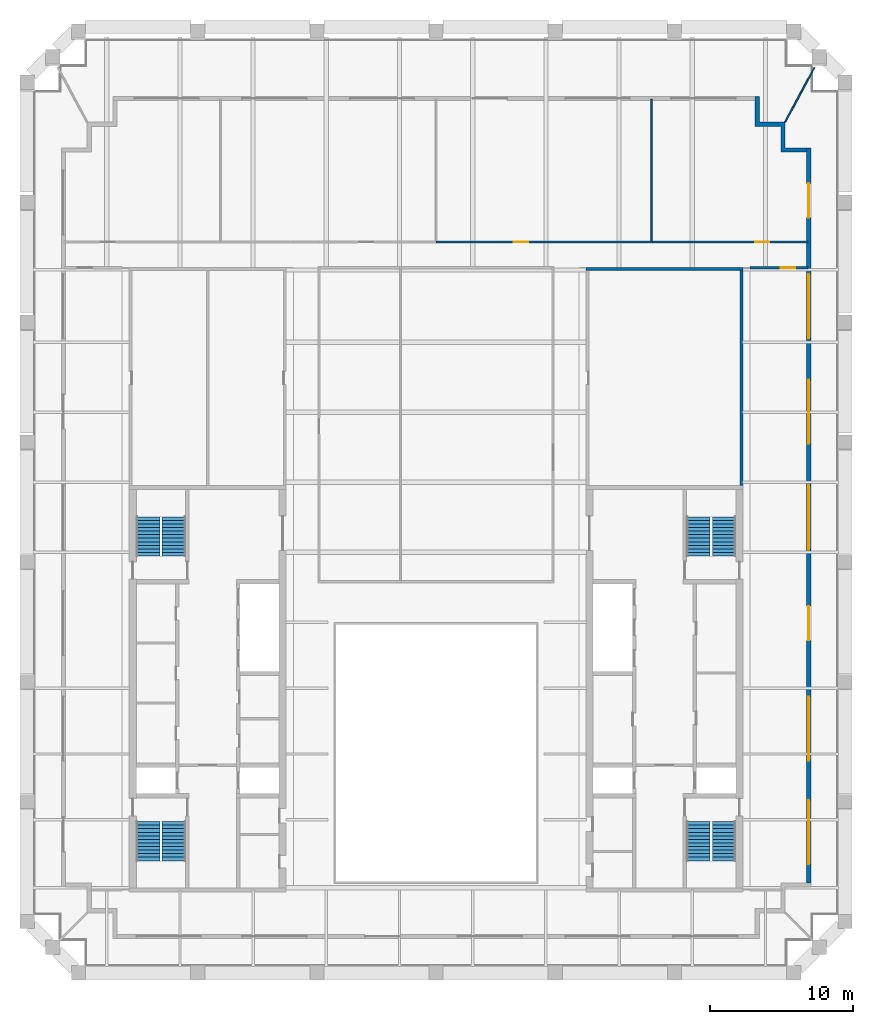
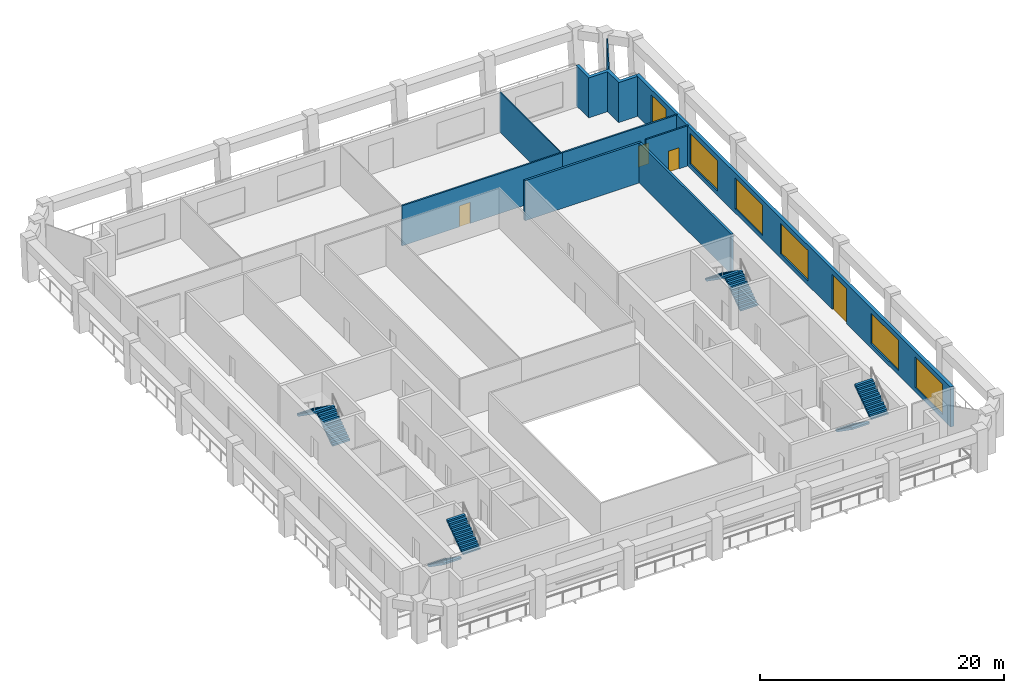
# One storey, part 6 of 8: 9 walls, 8 stair flights, 5 doors, 5 windows, 10 openings, 4 elements without a shape of their own.
"""IFC4 building model written with IfcOpenShell, lengths in metres."""

import ifcopenshell
import ifcopenshell.guid

model = None  # the IFC model being written
_history = None  # IfcOwnerHistory: only IFC2X3 demands one
_inside = {}  # id of a spatial element -> (the spatial element, [elements in it])
_under = {}  # id of a project, library or spatial element -> (it, [spatial elements below it])
_declared = {}  # id of a project -> (the project, [libraries it declares])
_typed = {}  # id of a type object -> (the type object, [elements of that type])
_made_of = {}  # id of a material, layer set ... -> (it, [elements and type objects made of it])


def new_model(schema):
    """Start an empty IFC model of exactly this schema.

    Asked for "IFC4X3", IfcOpenShell would pick the latest addendum, in which some entities
    have other attributes; the version numbers below select the first issue.
    IFC2X3 requires an IfcOwnerHistory on every rooted entity: one is made here for all.
    """
    global model, _history
    if schema == "IFC4X3":
        model = ifcopenshell.file(schema_version=(4, 3, 0, 0))
    else:
        model = ifcopenshell.file(schema=schema)
    _inside.clear()
    _under.clear()
    _declared.clear()
    _typed.clear()
    _made_of.clear()
    _history = None
    if model.schema == "IFC2X3":
        org = make("IfcOrganization", Name="unknown")
        user = make(
            "IfcPersonAndOrganization",
            ThePerson=make("IfcPerson", FamilyName="unknown"),
            TheOrganization=org,
        )
        app = make(
            "IfcApplication",
            ApplicationDeveloper=org,
            Version="unknown",
            ApplicationFullName="unknown",
            ApplicationIdentifier="unknown",
        )
        _history = make(
            "IfcOwnerHistory",
            OwningUser=user,
            OwningApplication=app,
            ChangeAction="ADDED",
            CreationDate=0,
        )
    return model


def make(cls, **values):
    """One entity of the class cls with the attributes given. An attribute that is None is left unset."""
    return model.create_entity(
        cls, **{name: value for name, value in values.items() if value is not None}
    )


def rooted(cls, **values):
    """An entity with a GlobalId (a new one), such as an element, a storey or a relation."""
    return make(cls, GlobalId=ifcopenshell.guid.new(), OwnerHistory=_history, **values)


def si_unit(unit_type, name, prefix=None):
    """IfcSIUnit, for example si_unit("LENGTHUNIT", "METRE", prefix="MILLI")."""
    return make("IfcSIUnit", UnitType=unit_type, Prefix=prefix, Name=name)


def assignment(units):
    """IfcUnitAssignment: the units of a project."""
    return None if units is None else make("IfcUnitAssignment", Units=units)


def point(xyz):
    """IfcCartesianPoint."""
    return None if xyz is None else make("IfcCartesianPoint", Coordinates=xyz)


def direction(xyz):
    """IfcDirection."""
    return None if xyz is None else make("IfcDirection", DirectionRatios=xyz)


def frame(location, z_axis=None, x_axis=None):
    """IfcAxis2Placement3D, a coordinate frame: its origin and axes. An axis left out is left unset."""
    return make(
        "IfcAxis2Placement3D",
        Location=point(location),
        Axis=direction(z_axis),
        RefDirection=direction(x_axis),
    )


def frame_2d(location, x_axis=None):
    """IfcAxis2Placement2D, a coordinate frame in the plane: its origin and x axis."""
    return make(
        "IfcAxis2Placement2D", Location=point(location), RefDirection=direction(x_axis)
    )


def origin():
    """The frame at (0, 0, 0) with its axes left unset."""
    return frame((0.0, 0.0, 0.0))


def place(relative_to, where):
    """IfcLocalPlacement: puts the frame where relative to a parent placement (None: the world)."""
    return make(
        "IfcLocalPlacement", PlacementRelTo=relative_to, RelativePlacement=where
    )


def context(
    kind, dimensions, precision=None, world=None, true_north=None, identifier=None
):
    """IfcGeometricRepresentationContext, for example the 3D "Model" context."""
    return make(
        "IfcGeometricRepresentationContext",
        ContextIdentifier=identifier,
        ContextType=kind,
        CoordinateSpaceDimension=dimensions,
        Precision=precision,
        WorldCoordinateSystem=world,
        TrueNorth=true_north,
    )


def subcontext(parent, identifier, kind, view, scale=None):
    """IfcGeometricRepresentationSubContext, for example "Body" below "Model"."""
    return make(
        "IfcGeometricRepresentationSubContext",
        ContextIdentifier=identifier,
        ContextType=kind,
        ParentContext=parent,
        TargetScale=scale,
        TargetView=view,
    )


def project(units=None, contexts=None):
    """IfcProject with its units and contexts."""
    return rooted(
        "IfcProject",
        Name="project",
        RepresentationContexts=contexts,
        UnitsInContext=assignment(units),
    )


def spatial(cls, under=None, at=None, **own):
    """A site, building, storey or space (cls), placed at a placement, below another one or the project."""
    s = rooted(cls, ObjectPlacement=at, **own)
    if under is not None:
        _under.setdefault(under.id(), (under, []))[1].append(s)
    return s


def polyline(points):
    """IfcPolyline through the points."""
    return make("IfcPolyline", Points=[point(p) for p in points])


def profile(cls, at=None, kind="AREA", **sizes):
    """A parametric profile (cls). Its sizes go by their IFC names, for example OverallWidth=200.0."""
    return make(cls, ProfileType=kind, Position=at, **sizes)


def rectangle(**sizes):
    """IfcRectangleProfileDef."""
    return profile("IfcRectangleProfileDef", **sizes)


def outline(outer, holes=None, kind="AREA"):
    """IfcArbitraryClosedProfileDef: a profile drawn as a closed curve; with holes, ...WithVoids."""
    if holes is None:
        return make("IfcArbitraryClosedProfileDef", ProfileType=kind, OuterCurve=outer)
    return make(
        "IfcArbitraryProfileDefWithVoids",
        ProfileType=kind,
        OuterCurve=outer,
        InnerCurves=holes,
    )


def extrude(swept, where, along, depth):
    """IfcExtrudedAreaSolid: the profile swept, set in the frame where, extruded along a direction by depth."""
    return make(
        "IfcExtrudedAreaSolid",
        SweptArea=swept,
        Position=where,
        ExtrudedDirection=direction(along),
        Depth=depth,
    )


def shape(context_of_items, identifier, shape_type, items):
    """IfcShapeRepresentation: the items that make up one representation, for example the "Body"."""
    return make(
        "IfcShapeRepresentation",
        ContextOfItems=context_of_items,
        RepresentationIdentifier=identifier,
        RepresentationType=shape_type,
        Items=items,
    )


def material(Name=None, Category=None):
    """IfcMaterial."""
    return make("IfcMaterial", Name=Name, Category=Category)


def layer(
    of_material, thickness, ventilated=None, Name=None, Category=None, Priority=None
):
    """IfcMaterialLayer: one layer of a wall or slab, of a material (None: an air gap)."""
    return make(
        "IfcMaterialLayer",
        Material=of_material,
        LayerThickness=thickness,
        IsVentilated=ventilated,
        Name=Name,
        Category=Category,
        Priority=Priority,
    )


def layer_set(layers, Name=None):
    """IfcMaterialLayerSet."""
    return make("IfcMaterialLayerSet", MaterialLayers=layers, LayerSetName=Name)


def made_of(thing, what):
    """Note that an element or type object is made of a material, layer set ...; save() writes the relation."""
    if what is not None:
        _made_of.setdefault(what.id(), (what, []))[1].append(thing)
    return thing


def type_object(cls, material=None, **own):
    """A type object (cls), such as IfcWallType, which elements share."""
    return made_of(rooted(cls, **own), material)


def element(
    cls,
    number,
    at=None,
    inside=None,
    cuts=None,
    type_object=None,
    material=None,
    context=None,
    identifier="Body",
    shape_type=None,
    held_by="IfcProductDefinitionShape",
    body=None,
    shapes=None,
    **own,
):
    """One element of the class cls, such as IfcWall. Its Tag is "e" and its number.

    at: its placement. inside: the storey or other place that contains it. cuts: it is an
    opening in that element (IfcRelVoidsElement). A single representation is given by context,
    identifier, shape_type and body (its items); several are given by shapes. held_by: the class
    of the entity that holds the representations. save() writes the other relations.
    """
    e = rooted(cls, Tag="e%d" % number, ObjectPlacement=at, **own)
    if body is not None:
        shapes = [shape(context, identifier, shape_type, body)]
    if shapes is not None:
        e.Representation = make(held_by, Representations=shapes)
    if inside is not None:
        _inside.setdefault(inside.id(), (inside, []))[1].append(e)
    if cuts is not None:
        rooted(
            "IfcRelVoidsElement", RelatingBuildingElement=cuts, RelatedOpeningElement=e
        )
    if type_object is not None:
        _typed.setdefault(type_object.id(), (type_object, []))[1].append(e)
    return made_of(e, material)


def fill(opening, filler):
    """IfcRelFillsElement: the door or window that sits in an opening."""
    return rooted(
        "IfcRelFillsElement",
        RelatingOpeningElement=opening,
        RelatedBuildingElement=filler,
    )


def aggregate(whole, parts):
    """IfcRelAggregates: a whole, such as a stair, and the parts it consists of."""
    return rooted("IfcRelAggregates", RelatingObject=whole, RelatedObjects=parts)


def save(model, path):
    """Write the relations noted so far, then the file.

    IfcRelAggregates (storeys below a building ...), IfcRelContainedInSpatialStructure (elements
    in a storey), IfcRelDefinesByType, IfcRelAssociatesMaterial and IfcRelDeclares: one each for
    every whole, place, type object, material and project.
    """
    for whole, parts in _under.values():
        aggregate(whole, parts)
    for where, things in _inside.values():
        rooted(
            "IfcRelContainedInSpatialStructure",
            RelatedElements=things,
            RelatingStructure=where,
        )
    for kind, things in _typed.values():
        rooted("IfcRelDefinesByType", RelatedObjects=things, RelatingType=kind)
    for what, things in _made_of.values():
        rooted("IfcRelAssociatesMaterial", RelatedObjects=things, RelatingMaterial=what)
    for by, libraries in _declared.values():
        rooted("IfcRelDeclares", RelatingContext=by, RelatedDefinitions=libraries)
    model.write(path)


model = new_model("IFC4")

# Units and contexts
model_context = context("Model", 3, precision=1e-05, world=origin(), true_north=direction((0.0, 1.0)))
body_context = subcontext(model_context, "Body", "Model", "MODEL_VIEW")
ifc_project = project(units=[si_unit("LENGTHUNIT", "METRE"), si_unit("AREAUNIT", "SQUARE_METRE"), si_unit("VOLUMEUNIT", "CUBIC_METRE"), si_unit("PLANEANGLEUNIT", "RADIAN"), si_unit("MASSUNIT", "GRAM", prefix="KILO")], contexts=[model_context])

# Site, building, storey
site_placement = place(None, origin())
site = spatial("IfcSite", under=ifc_project, at=site_placement, CompositionType="ELEMENT")
building_placement = place(site_placement, origin())
building = spatial("IfcBuilding", under=site, at=building_placement, Name="Ogive Exchange Tower", CompositionType="ELEMENT")
storey_placement = place(building_placement, frame((0.0, 0.0, 325.800048828125)))
storey = spatial("IfcBuildingStorey", under=building, at=storey_placement, Name="L71", CompositionType="ELEMENT", Elevation=325.800048828125)

# Wall, opening, door
ifc_material_1 = material(Name="Fire partition EI 60 150")
ifc_layer_1 = layer(ifc_material_1, 0.14990234375)
ifc_layer_set_1 = layer_set([ifc_layer_1], Name="Fire partition EI 60 150")
wall_type_1 = type_object("IfcWallType", Name="Fire partition EI 60 150", PredefinedType="PARTITIONING", material=ifc_layer_set_1)
wall_1_placement = place(storey_placement, frame((0.0, 42.800048828125, 0.0), z_axis=(0.0, 0.0, 1.0), x_axis=(1.0, 0.0, 0.0)))
wall_1 = element("IfcWall", 1, at=wall_1_placement, inside=storey, type_object=wall_type_1, Name="L71-PWL-014", PredefinedType="PARTITIONING", context=body_context, shape_type="SweptSolid", body=[
    extrude(rectangle(XDim=15.14990234375, YDim=0.14990234375, at=frame_2d((7.574951171875, 0.0))), origin(), (0.0, 0.0, 1.0), 4.0),
])
opening_1_placement = place(wall_1_placement, frame((5.449951171875, 0.0, 0.0)))
opening_1 = element("IfcOpeningElement", 2, at=opening_1_placement, cuts=wall_1, Name="Opening L71-I01", PredefinedType="OPENING", context=body_context, shape_type="SweptSolid", body=[
    extrude(rectangle(XDim=1.0, YDim=2.10009765625, at=frame_2d((0.5, 1.050048828125))), frame((0.0, 0.0849609375, 0.0), z_axis=(0.0, -1.0, 0.0), x_axis=(1.0, 0.0, 0.0)), (0.0, 0.0, 1.0), 0.169921875),
])
ifc_material_2 = material(Name="Fire door FD 30S 1000 x 2100")
door_type_1 = type_object("IfcDoorType", Name="Fire door FD 30S 1000 x 2100", OperationType="NOTDEFINED", PredefinedType="DOOR", material=ifc_material_2)
door_1_placement = place(opening_1_placement, origin())
door_1 = element("IfcDoor", 3, at=door_1_placement, inside=storey, type_object=door_type_1, Name="L71-IDR-001", ObjectType="DT3", OperationType="SINGLE_SWING_LEFT", OverallHeight=2.10009765625, OverallWidth=1.0, PredefinedType="DOOR", context=body_context, shape_type="SweptSolid", body=[
    extrude(rectangle(XDim=1.0, YDim=2.10009765625, at=frame_2d((0.5, 1.050048828125))), frame((0.0, 0.02490234375, 0.0), z_axis=(0.0, -1.0, 0.0), x_axis=(1.0, 0.0, 0.0)), (0.0, 0.0, 1.0), 0.050048828125),
])
fill(opening_1, door_1)

wall_2_placement = place(storey_placement, frame((15.14990234375, 42.800048828125, 0.0), z_axis=(0.0, 0.0, 1.0), x_axis=(1.0, 0.0, 0.0)))
wall_2 = element("IfcWall", 4, at=wall_2_placement, inside=storey, type_object=wall_type_1, Name="L71-PWL-017", PredefinedType="PARTITIONING", context=body_context, shape_type="SweptSolid", body=[
    extrude(rectangle(XDim=10.900146484375, YDim=0.14990234375, at=frame_2d((5.4501953125, 0.0))), origin(), (0.0, 0.0, 1.0), 4.0),
])
opening_2_placement = place(wall_2_placement, frame((7.199951171875, 0.0, 0.0)))
opening_2 = element("IfcOpeningElement", 5, at=opening_2_placement, cuts=wall_2, Name="Opening L71-I02", PredefinedType="OPENING", context=body_context, shape_type="SweptSolid", body=[
    extrude(rectangle(XDim=1.0, YDim=2.10009765625, at=frame_2d((0.5, 1.050048828125))), frame((0.0, 0.0849609375, 0.0), z_axis=(0.0, -1.0, 0.0), x_axis=(1.0, 0.0, 0.0)), (0.0, 0.0, 1.0), 0.169921875),
])
door_2_placement = place(opening_2_placement, origin())
door_2 = element("IfcDoor", 6, at=door_2_placement, inside=storey, type_object=door_type_1, Name="L71-IDR-002", ObjectType="DT3", OperationType="SINGLE_SWING_LEFT", OverallHeight=2.10009765625, OverallWidth=1.0, PredefinedType="DOOR", context=body_context, shape_type="SweptSolid", body=[
    extrude(rectangle(XDim=1.0, YDim=2.10009765625, at=frame_2d((0.5, 1.050048828125))), frame((0.0, 0.02490234375, 0.0), z_axis=(0.0, -1.0, 0.0), x_axis=(1.0, 0.0, 0.0)), (0.0, 0.0, 1.0), 0.050048828125),
])
fill(opening_2, door_2)

wall_3_placement = place(storey_placement, frame((26.050048828125, 41.0, 0.0), z_axis=(0.0, 0.0, 1.0), x_axis=(-1.0, 0.0, 0.0)))
wall_3 = element("IfcWall", 7, at=wall_3_placement, inside=storey, type_object=wall_type_1, Name="L71-PWL-020", PredefinedType="PARTITIONING", context=body_context, shape_type="SweptSolid", body=[
    extrude(rectangle(XDim=4.050048828125, YDim=0.14990234375, at=frame_2d((2.02490234375, 0.0))), origin(), (0.0, 0.0, 1.0), 4.0),
])
opening_3_placement = place(wall_3_placement, frame((0.89990234375, 0.0, 0.0)))
opening_3 = element("IfcOpeningElement", 8, at=opening_3_placement, cuts=wall_3, Name="Opening L71-I08", PredefinedType="OPENING", context=body_context, shape_type="SweptSolid", body=[
    extrude(rectangle(XDim=1.0, YDim=2.10009765625, at=frame_2d((0.5, 1.050048828125))), frame((0.0, 0.0849609375, 0.0), z_axis=(0.0, -1.0, 0.0), x_axis=(1.0, 0.0, 0.0)), (0.0, 0.0, 1.0), 0.169921875),
])
door_3_placement = place(opening_3_placement, origin())
door_3 = element("IfcDoor", 9, at=door_3_placement, inside=storey, type_object=door_type_1, Name="L71-IDR-008", ObjectType="DT3", OperationType="SINGLE_SWING_RIGHT", OverallHeight=2.10009765625, OverallWidth=1.0, PredefinedType="DOOR", context=body_context, shape_type="SweptSolid", body=[
    extrude(rectangle(XDim=1.0, YDim=2.10009765625, at=frame_2d((0.5, 1.050048828125))), frame((0.0, 0.02490234375, 0.0), z_axis=(0.0, -1.0, 0.0), x_axis=(1.0, 0.0, 0.0)), (0.0, 0.0, 1.0), 0.050048828125),
])
fill(opening_3, door_3)

# Wall, openings, doors, windows
ifc_material_3 = material(Name="Precast concrete C40/50", Category="concrete")
ifc_layer_2 = layer(ifc_material_3, 0.300048828125)
ifc_layer_set_2 = layer_set([ifc_layer_2], Name="Limestone-faced wall 300")
wall_type_2 = type_object("IfcWallType", Name="Limestone-faced wall 300", PredefinedType="STANDARD", material=ifc_layer_set_2)
wall_4_placement = place(storey_placement, frame((26.10009765625, -2.10009765625, 0.0), z_axis=(0.0, 0.0, 1.0), x_axis=(0.0, 1.0, 0.0)))
wall_4 = element("IfcWall", 10, at=wall_4_placement, inside=storey, type_object=wall_type_2, Name="External wall E2", PredefinedType="STANDARD", context=body_context, shape_type="SweptSolid", body=[
    extrude(rectangle(XDim=51.5, YDim=0.300048828125, at=frame_2d((25.75, 0.0))), origin(), (0.0, 0.0, 1.0), 4.0),
])
opening_4_placement = place(wall_4_placement, frame((1.300048828125, 0.0, 0.449951171875)))
opening_4 = element("IfcOpeningElement", 11, at=opening_4_placement, cuts=wall_4, Name="Opening W1", PredefinedType="OPENING", context=body_context, shape_type="SweptSolid", body=[
    extrude(rectangle(XDim=4.5, YDim=3.050048828125, at=frame_2d((2.25, 1.52490234375))), frame((0.0, 0.159912109375, 0.0), z_axis=(0.0, -1.0, 0.0), x_axis=(1.0, 0.0, 0.0)), (0.0, 0.0, 1.0), 0.320068359375),
])
opening_5_placement = place(wall_4_placement, frame((8.550048828125, 0.0, 0.449951171875)))
opening_5 = element("IfcOpeningElement", 12, at=opening_5_placement, cuts=wall_4, Name="Opening W1", PredefinedType="OPENING", context=body_context, shape_type="SweptSolid", body=[
    extrude(rectangle(XDim=4.5, YDim=3.050048828125, at=frame_2d((2.25, 1.52490234375))), frame((0.0, 0.159912109375, 0.0), z_axis=(0.0, -1.0, 0.0), x_axis=(1.0, 0.0, 0.0)), (0.0, 0.0, 1.0), 0.320068359375),
])
opening_6_placement = place(wall_4_placement, frame((17.0, 0.0, 0.0)))
opening_6 = element("IfcOpeningElement", 13, at=opening_6_placement, cuts=wall_4, Name="Opening D1", PredefinedType="OPENING", context=body_context, shape_type="SweptSolid", body=[
    extrude(rectangle(XDim=2.39990234375, YDim=3.5, at=frame_2d((1.199951171875, 1.75))), frame((0.0, 0.159912109375, 0.0), z_axis=(0.0, -1.0, 0.0), x_axis=(1.0, 0.0, 0.0)), (0.0, 0.0, 1.0), 0.320068359375),
])
opening_7_placement = place(wall_4_placement, frame((23.35009765625, 0.0, 0.449951171875)))
opening_7 = element("IfcOpeningElement", 14, at=opening_7_placement, cuts=wall_4, Name="Opening W1", PredefinedType="OPENING", context=body_context, shape_type="SweptSolid", body=[
    extrude(rectangle(XDim=4.5, YDim=3.050048828125, at=frame_2d((2.25, 1.52490234375))), frame((0.0, 0.159912109375, 0.0), z_axis=(0.0, -1.0, 0.0), x_axis=(1.0, 0.0, 0.0)), (0.0, 0.0, 1.0), 0.320068359375),
])
opening_8_placement = place(wall_4_placement, frame((30.75, 0.0, 0.449951171875)))
opening_8 = element("IfcOpeningElement", 15, at=opening_8_placement, cuts=wall_4, Name="Opening W1", PredefinedType="OPENING", context=body_context, shape_type="SweptSolid", body=[
    extrude(rectangle(XDim=4.5, YDim=3.050048828125, at=frame_2d((2.25, 1.52490234375))), frame((0.0, 0.159912109375, 0.0), z_axis=(0.0, -1.0, 0.0), x_axis=(1.0, 0.0, 0.0)), (0.0, 0.0, 1.0), 0.320068359375),
])
opening_9_placement = place(wall_4_placement, frame((38.14990234375, 0.0, 0.449951171875)))
opening_9 = element("IfcOpeningElement", 16, at=opening_9_placement, cuts=wall_4, Name="Opening W1", PredefinedType="OPENING", context=body_context, shape_type="SweptSolid", body=[
    extrude(rectangle(XDim=4.5, YDim=3.050048828125, at=frame_2d((2.25, 1.52490234375))), frame((0.0, 0.159912109375, 0.0), z_axis=(0.0, -1.0, 0.0), x_axis=(1.0, 0.0, 0.0)), (0.0, 0.0, 1.0), 0.320068359375),
])
opening_10_placement = place(wall_4_placement, frame((46.60009765625, 0.0, 0.0)))
opening_10 = element("IfcOpeningElement", 17, at=opening_10_placement, cuts=wall_4, Name="Opening D1", PredefinedType="OPENING", context=body_context, shape_type="SweptSolid", body=[
    extrude(rectangle(XDim=2.39990234375, YDim=3.5, at=frame_2d((1.199951171875, 1.75))), frame((0.0, 0.159912109375, 0.0), z_axis=(0.0, -1.0, 0.0), x_axis=(1.0, 0.0, 0.0)), (0.0, 0.0, 1.0), 0.320068359375),
])
ifc_material_4 = material(Name="Clear glass in bronze frame", Category="glass")
door_type_2 = type_object("IfcDoorType", Name="Sliding loggia door 2400 x 3500", OperationType="DOUBLE_DOOR_SLIDING", PredefinedType="DOOR", material=ifc_material_4)
door_4_placement = place(opening_6_placement, origin())
door_4 = element("IfcDoor", 18, at=door_4_placement, inside=storey, type_object=door_type_2, Name="Loggia door E02", OperationType="DOUBLE_DOOR_SLIDING", OverallHeight=3.5, OverallWidth=2.39990234375, PredefinedType="DOOR", context=body_context, shape_type="SweptSolid", body=[
    extrude(rectangle(XDim=2.39990234375, YDim=3.5, at=frame_2d((1.199951171875, 1.75))), frame((0.0, 0.02490234375, 0.0), z_axis=(0.0, -1.0, 0.0), x_axis=(1.0, 0.0, 0.0)), (0.0, 0.0, 1.0), 0.050048828125),
])
fill(opening_6, door_4)
door_5_placement = place(opening_10_placement, origin())
door_5 = element("IfcDoor", 19, at=door_5_placement, inside=storey, type_object=door_type_2, Name="Loggia door E06", OperationType="DOUBLE_DOOR_SLIDING", OverallHeight=3.5, OverallWidth=2.39990234375, PredefinedType="DOOR", context=body_context, shape_type="SweptSolid", body=[
    extrude(rectangle(XDim=2.39990234375, YDim=3.5, at=frame_2d((1.199951171875, 1.75))), frame((0.0, 0.02490234375, 0.0), z_axis=(0.0, -1.0, 0.0), x_axis=(1.0, 0.0, 0.0)), (0.0, 0.0, 1.0), 0.050048828125),
])
fill(opening_10, door_5)
window_type = type_object("IfcWindowType", Name="Twin lancet window 4500 x 3050", PartitioningType="DOUBLE_PANEL_VERTICAL", PredefinedType="WINDOW", material=ifc_material_4)
window_1_placement = place(opening_4_placement, origin())
window_1 = element("IfcWindow", 20, at=window_1_placement, inside=storey, type_object=window_type, Name="Window E00", OverallHeight=3.050048828125, OverallWidth=4.5, PartitioningType="DOUBLE_PANEL_VERTICAL", PredefinedType="WINDOW", context=body_context, shape_type="SweptSolid", body=[
    extrude(rectangle(XDim=4.5, YDim=3.050048828125, at=frame_2d((2.25, 1.52490234375))), frame((0.0, 0.030029296875, 0.0), z_axis=(0.0, -1.0, 0.0), x_axis=(1.0, 0.0, 0.0)), (0.0, 0.0, 1.0), 0.06005859375),
])
fill(opening_4, window_1)
window_2_placement = place(opening_5_placement, origin())
window_2 = element("IfcWindow", 21, at=window_2_placement, inside=storey, type_object=window_type, Name="Window E01", OverallHeight=3.050048828125, OverallWidth=4.5, PartitioningType="DOUBLE_PANEL_VERTICAL", PredefinedType="WINDOW", context=body_context, shape_type="SweptSolid", body=[
    extrude(rectangle(XDim=4.5, YDim=3.050048828125, at=frame_2d((2.25, 1.52490234375))), frame((0.0, 0.030029296875, 0.0), z_axis=(0.0, -1.0, 0.0), x_axis=(1.0, 0.0, 0.0)), (0.0, 0.0, 1.0), 0.06005859375),
])
fill(opening_5, window_2)
window_3_placement = place(opening_7_placement, origin())
window_3 = element("IfcWindow", 22, at=window_3_placement, inside=storey, type_object=window_type, Name="Window E03", OverallHeight=3.050048828125, OverallWidth=4.5, PartitioningType="DOUBLE_PANEL_VERTICAL", PredefinedType="WINDOW", context=body_context, shape_type="SweptSolid", body=[
    extrude(rectangle(XDim=4.5, YDim=3.050048828125, at=frame_2d((2.25, 1.52490234375))), frame((0.0, 0.030029296875, 0.0), z_axis=(0.0, -1.0, 0.0), x_axis=(1.0, 0.0, 0.0)), (0.0, 0.0, 1.0), 0.06005859375),
])
fill(opening_7, window_3)
window_4_placement = place(opening_8_placement, origin())
window_4 = element("IfcWindow", 23, at=window_4_placement, inside=storey, type_object=window_type, Name="Window E04", OverallHeight=3.050048828125, OverallWidth=4.5, PartitioningType="DOUBLE_PANEL_VERTICAL", PredefinedType="WINDOW", context=body_context, shape_type="SweptSolid", body=[
    extrude(rectangle(XDim=4.5, YDim=3.050048828125, at=frame_2d((2.25, 1.52490234375))), frame((0.0, 0.030029296875, 0.0), z_axis=(0.0, -1.0, 0.0), x_axis=(1.0, 0.0, 0.0)), (0.0, 0.0, 1.0), 0.06005859375),
])
fill(opening_8, window_4)
window_5_placement = place(opening_9_placement, origin())
window_5 = element("IfcWindow", 24, at=window_5_placement, inside=storey, type_object=window_type, Name="Window E05", OverallHeight=3.050048828125, OverallWidth=4.5, PartitioningType="DOUBLE_PANEL_VERTICAL", PredefinedType="WINDOW", context=body_context, shape_type="SweptSolid", body=[
    extrude(rectangle(XDim=4.5, YDim=3.050048828125, at=frame_2d((2.25, 1.52490234375))), frame((0.0, 0.030029296875, 0.0), z_axis=(0.0, -1.0, 0.0), x_axis=(1.0, 0.0, 0.0)), (0.0, 0.0, 1.0), 0.06005859375),
])
fill(opening_9, window_5)

# Walls
wall_5_placement = place(storey_placement, origin())
element("IfcWall", 25, at=wall_5_placement, inside=storey, type_object=wall_type_2, Name="External corner wall C2", PredefinedType="STANDARD", context=body_context, shape_type="SweptSolid", body=[
    extrude(outline(polyline([(24.14990234375, 50.89990234375), (22.35009765625, 50.89990234375), (22.35009765625, 53.0), (22.64990234375, 53.0), (22.64990234375, 51.199951171875), (24.449951171875, 51.199951171875), (24.449951171875, 49.39990234375), (25.949951171875, 49.39990234375), (25.949951171875, 49.10009765625), (24.14990234375, 49.10009765625), (24.14990234375, 50.89990234375)])), origin(), (0.0, 0.0, 1.0), 4.0),
])
ifc_material_5 = material(Name="Laminated safety glass in steel frame", Category="steel")
ifc_layer_3 = layer(ifc_material_5, 0.10009765625)
ifc_layer_set_3 = layer_set([ifc_layer_3], Name="Loggia end screen 100")
wall_type_3 = type_object("IfcWallType", Name="Loggia end screen 100", PredefinedType="STANDARD", material=ifc_layer_set_3)
wall_6_placement = place(storey_placement, frame((24.449951171875, 51.199951171875, -0.050048828125), z_axis=(0.0, 0.0, 1.0), x_axis=(0.472807073277, 0.881165972709, 0.0)))
element("IfcWall", 26, at=wall_6_placement, inside=storey, type_object=wall_type_3, Name="Loggia end screen C2", PredefinedType="STANDARD", context=body_context, shape_type="SweptSolid", body=[
    extrude(rectangle(XDim=4.348876953125, YDim=0.10009765625, at=frame_2d((2.17431640625, 0.0))), origin(), (0.0, 0.0, 1.0), 4.050048828125),
])
ifc_material_6 = material(Name="Partition 100 gypsum")
ifc_layer_4 = layer(ifc_material_6, 0.10009765625)
ifc_layer_set_4 = layer_set([ifc_layer_4], Name="Partition 100 gypsum")
wall_type_4 = type_object("IfcWallType", Name="Partition 100 gypsum", PredefinedType="PARTITIONING", material=ifc_layer_set_4)
wall_7_placement = place(storey_placement, frame((15.10009765625, 52.800048828125, 0.0), z_axis=(0.0, 0.0, 1.0), x_axis=(0.0, -1.0, 0.0)))
element("IfcWall", 27, at=wall_7_placement, inside=storey, type_object=wall_type_4, Name="L71-PWL-018", PredefinedType="PARTITIONING", context=body_context, shape_type="SweptSolid", body=[
    extrude(rectangle(XDim=9.925048828125, YDim=0.10009765625, at=frame_2d((4.96240234375, 0.0))), origin(), (0.0, 0.0, 1.0), 4.0),
])
ifc_material_7 = material(Name="Concrete C70/85", Category="concrete")
ifc_layer_5 = layer(ifc_material_7, 0.199951171875)
ifc_layer_set_5 = layer_set([ifc_layer_5], Name="RC core wall 200 C70/85")
wall_type_5 = type_object("IfcWallType", Name="RC core wall 200 C70/85", PredefinedType="SHEAR", material=ifc_layer_set_5)
wall_8_placement = place(storey_placement, frame((21.39990234375, 25.75, 0.0), z_axis=(0.0, 0.0, 1.0), x_axis=(0.0, 1.0, 0.0)))
element("IfcWall", 28, at=wall_8_placement, inside=storey, type_object=wall_type_5, Name="E annex N outer wall", PredefinedType="SHEAR", context=body_context, shape_type="SweptSolid", body=[
    extrude(rectangle(XDim=15.050048828125, YDim=0.199951171875, at=frame_2d((7.52490234375, 0.0))), origin(), (0.0, 0.0, 1.0), 4.0),
])
wall_9_placement = place(storey_placement, frame((10.5, 40.89990234375, 0.0), z_axis=(0.0, 0.0, 1.0), x_axis=(1.0, 0.0, 0.0)))
element("IfcWall", 29, at=wall_9_placement, inside=storey, type_object=wall_type_5, Name="E annex N end wall", PredefinedType="SHEAR", context=body_context, shape_type="SweptSolid", body=[
    extrude(rectangle(XDim=11.0, YDim=0.199951171875, at=frame_2d((5.5, 0.0))), origin(), (0.0, 0.0, 1.0), 4.0),
])

# Stair, stair flights
ifc_material_8 = material(Name="Concrete C40/50", Category="concrete")
stair_type = type_object("IfcStairType", Name="Exit stair 1650 wide", PredefinedType="HALF_TURN_STAIR", material=ifc_material_8)
stair_1_placement = place(storey_placement, origin())
stair_1 = element("IfcStair", 30, at=stair_1_placement, inside=storey, type_object=stair_type, Name="L71 exit stair ST1", PredefinedType="HALF_TURN_STAIR")
stair_flight_type = type_object("IfcStairFlightType", Name="Stair flight 1650 wide", PredefinedType="STRAIGHT", material=ifc_material_8)
stair_flight_1_placement = place(storey_placement, frame((-20.175048828125, 2.199951171875, 0.0), z_axis=(0.0, 0.0, 1.0), x_axis=(0.0, -1.0, 0.0)))
stair_flight_1 = element("IfcStairFlight", 31, at=stair_flight_1_placement, type_object=stair_flight_type, Name="ST1 flight 1", NumberOfRisers=12, NumberOfTreads=11, PredefinedType="STRAIGHT", RiserHeight=0.175, TreadLength=0.25, context=body_context, shape_type="SweptSolid", body=[
    extrude(outline(polyline([(0.0, 0.0), (0.0, 0.175048828125), (0.25, 0.175048828125), (0.25, 0.35009765625), (0.5, 0.35009765625), (0.5, 0.52490234375), (0.75, 0.52490234375), (0.75, 0.699951171875), (1.0, 0.699951171875), (1.0, 0.875), (1.25, 0.875), (1.25, 1.050048828125), (1.5, 1.050048828125), (1.5, 1.22509765625), (1.75, 1.22509765625), (1.75, 1.39990234375), (2.0, 1.39990234375), (2.0, 1.574951171875), (2.25, 1.574951171875), (2.25, 1.75), (2.5, 1.75), (2.5, 1.925048828125), (2.75, 1.925048828125), (2.75, 2.10009765625), (2.75, 1.741943359375), (0.261474609375, 0.0), (0.0, 0.0)])), frame((0.0, 0.824951171875, 0.0), z_axis=(0.0, -1.0, 0.0), x_axis=(1.0, 0.0, 0.0)), (0.0, 0.0, 1.0), 1.64990234375),
])
stair_flight_2_placement = place(storey_placement, frame((-18.375, -0.550048828125, 2.099853515625), z_axis=(0.0, 0.0, 1.0), x_axis=(0.0, 1.0, 0.0)))
stair_flight_2 = element("IfcStairFlight", 32, at=stair_flight_2_placement, type_object=stair_flight_type, Name="ST1 flight 2", NumberOfRisers=12, NumberOfTreads=11, PredefinedType="STRAIGHT", RiserHeight=0.175, TreadLength=0.25, context=body_context, shape_type="SweptSolid", body=[
    extrude(outline(polyline([(0.0, 0.0), (0.0, 0.175048828125), (0.25, 0.175048828125), (0.25, 0.35009765625), (0.5, 0.35009765625), (0.5, 0.52490234375), (0.75, 0.52490234375), (0.75, 0.699951171875), (1.0, 0.699951171875), (1.0, 0.875), (1.25, 0.875), (1.25, 1.050048828125), (1.5, 1.050048828125), (1.5, 1.22509765625), (1.75, 1.22509765625), (1.75, 1.39990234375), (2.0, 1.39990234375), (2.0, 1.574951171875), (2.25, 1.574951171875), (2.25, 1.75), (2.5, 1.75), (2.5, 1.925048828125), (2.75, 1.925048828125), (2.75, 2.10009765625), (2.75, 1.741943359375), (0.261474609375, 0.0), (0.0, 0.0)])), frame((0.0, 0.824951171875, 0.0), z_axis=(0.0, -1.0, 0.0), x_axis=(1.0, 0.0, 0.0)), (0.0, 0.0, 1.0), 1.64990234375),
])
aggregate(stair_1, [stair_flight_1, stair_flight_2])

stair_2_placement = place(storey_placement, origin())
stair_2 = element("IfcStair", 33, at=stair_2_placement, inside=storey, type_object=stair_type, Name="L71 exit stair ST2", PredefinedType="HALF_TURN_STAIR")
stair_flight_3_placement = place(storey_placement, frame((-18.375, 20.800048828125, 0.0), z_axis=(0.0, 0.0, 1.0), x_axis=(0.0, 1.0, 0.0)))
stair_flight_3 = element("IfcStairFlight", 34, at=stair_flight_3_placement, type_object=stair_flight_type, Name="ST2 flight 1", NumberOfRisers=12, NumberOfTreads=11, PredefinedType="STRAIGHT", RiserHeight=0.175, TreadLength=0.25, context=body_context, shape_type="SweptSolid", body=[
    extrude(outline(polyline([(0.0, 0.0), (0.0, 0.175048828125), (0.25, 0.175048828125), (0.25, 0.35009765625), (0.5, 0.35009765625), (0.5, 0.52490234375), (0.75, 0.52490234375), (0.75, 0.699951171875), (1.0, 0.699951171875), (1.0, 0.875), (1.25, 0.875), (1.25, 1.050048828125), (1.5, 1.050048828125), (1.5, 1.22509765625), (1.75, 1.22509765625), (1.75, 1.39990234375), (2.0, 1.39990234375), (2.0, 1.574951171875), (2.25, 1.574951171875), (2.25, 1.75), (2.5, 1.75), (2.5, 1.925048828125), (2.75, 1.925048828125), (2.75, 2.10009765625), (2.75, 1.741943359375), (0.261474609375, 0.0), (0.0, 0.0)])), frame((0.0, 0.824951171875, 0.0), z_axis=(0.0, -1.0, 0.0), x_axis=(1.0, 0.0, 0.0)), (0.0, 0.0, 1.0), 1.64990234375),
])
stair_flight_4_placement = place(storey_placement, frame((-20.175048828125, 23.550048828125, 2.099853515625), z_axis=(0.0, 0.0, 1.0), x_axis=(0.0, -1.0, 0.0)))
stair_flight_4 = element("IfcStairFlight", 35, at=stair_flight_4_placement, type_object=stair_flight_type, Name="ST2 flight 2", NumberOfRisers=12, NumberOfTreads=11, PredefinedType="STRAIGHT", RiserHeight=0.175, TreadLength=0.25, context=body_context, shape_type="SweptSolid", body=[
    extrude(outline(polyline([(0.0, 0.0), (0.0, 0.175048828125), (0.25, 0.175048828125), (0.25, 0.35009765625), (0.5, 0.35009765625), (0.5, 0.52490234375), (0.75, 0.52490234375), (0.75, 0.699951171875), (1.0, 0.699951171875), (1.0, 0.875), (1.25, 0.875), (1.25, 1.050048828125), (1.5, 1.050048828125), (1.5, 1.22509765625), (1.75, 1.22509765625), (1.75, 1.39990234375), (2.0, 1.39990234375), (2.0, 1.574951171875), (2.25, 1.574951171875), (2.25, 1.75), (2.5, 1.75), (2.5, 1.925048828125), (2.75, 1.925048828125), (2.75, 2.10009765625), (2.75, 1.741943359375), (0.261474609375, 0.0), (0.0, 0.0)])), frame((0.0, 0.824951171875, 0.0), z_axis=(0.0, -1.0, 0.0), x_axis=(1.0, 0.0, 0.0)), (0.0, 0.0, 1.0), 1.64990234375),
])
aggregate(stair_2, [stair_flight_3, stair_flight_4])

stair_3_placement = place(storey_placement, origin())
stair_3 = element("IfcStair", 36, at=stair_3_placement, inside=storey, type_object=stair_type, Name="L71 exit stair ST3", PredefinedType="HALF_TURN_STAIR")
stair_flight_5_placement = place(storey_placement, frame((18.375, 2.199951171875, 0.0), z_axis=(0.0, 0.0, 1.0), x_axis=(0.0, -1.0, 0.0)))
stair_flight_5 = element("IfcStairFlight", 37, at=stair_flight_5_placement, type_object=stair_flight_type, Name="ST3 flight 1", NumberOfRisers=12, NumberOfTreads=11, PredefinedType="STRAIGHT", RiserHeight=0.175, TreadLength=0.25, context=body_context, shape_type="SweptSolid", body=[
    extrude(outline(polyline([(0.0, 0.0), (0.0, 0.175048828125), (0.25, 0.175048828125), (0.25, 0.35009765625), (0.5, 0.35009765625), (0.5, 0.52490234375), (0.75, 0.52490234375), (0.75, 0.699951171875), (1.0, 0.699951171875), (1.0, 0.875), (1.25, 0.875), (1.25, 1.050048828125), (1.5, 1.050048828125), (1.5, 1.22509765625), (1.75, 1.22509765625), (1.75, 1.39990234375), (2.0, 1.39990234375), (2.0, 1.574951171875), (2.25, 1.574951171875), (2.25, 1.75), (2.5, 1.75), (2.5, 1.925048828125), (2.75, 1.925048828125), (2.75, 2.10009765625), (2.75, 1.741943359375), (0.261474609375, 0.0), (0.0, 0.0)])), frame((0.0, 0.824951171875, 0.0), z_axis=(0.0, -1.0, 0.0), x_axis=(1.0, 0.0, 0.0)), (0.0, 0.0, 1.0), 1.64990234375),
])
stair_flight_6_placement = place(storey_placement, frame((20.175048828125, -0.550048828125, 2.099853515625), z_axis=(0.0, 0.0, 1.0), x_axis=(0.0, 1.0, 0.0)))
stair_flight_6 = element("IfcStairFlight", 38, at=stair_flight_6_placement, type_object=stair_flight_type, Name="ST3 flight 2", NumberOfRisers=12, NumberOfTreads=11, PredefinedType="STRAIGHT", RiserHeight=0.175, TreadLength=0.25, context=body_context, shape_type="SweptSolid", body=[
    extrude(outline(polyline([(0.0, 0.0), (0.0, 0.175048828125), (0.25, 0.175048828125), (0.25, 0.35009765625), (0.5, 0.35009765625), (0.5, 0.52490234375), (0.75, 0.52490234375), (0.75, 0.699951171875), (1.0, 0.699951171875), (1.0, 0.875), (1.25, 0.875), (1.25, 1.050048828125), (1.5, 1.050048828125), (1.5, 1.22509765625), (1.75, 1.22509765625), (1.75, 1.39990234375), (2.0, 1.39990234375), (2.0, 1.574951171875), (2.25, 1.574951171875), (2.25, 1.75), (2.5, 1.75), (2.5, 1.925048828125), (2.75, 1.925048828125), (2.75, 2.10009765625), (2.75, 1.741943359375), (0.261474609375, 0.0), (0.0, 0.0)])), frame((0.0, 0.824951171875, 0.0), z_axis=(0.0, -1.0, 0.0), x_axis=(1.0, 0.0, 0.0)), (0.0, 0.0, 1.0), 1.64990234375),
])
aggregate(stair_3, [stair_flight_5, stair_flight_6])

stair_4_placement = place(storey_placement, origin())
stair_4 = element("IfcStair", 39, at=stair_4_placement, inside=storey, type_object=stair_type, Name="L71 exit stair ST4", PredefinedType="HALF_TURN_STAIR")
stair_flight_7_placement = place(storey_placement, frame((20.175048828125, 20.800048828125, 0.0), z_axis=(0.0, 0.0, 1.0), x_axis=(0.0, 1.0, 0.0)))
stair_flight_7 = element("IfcStairFlight", 40, at=stair_flight_7_placement, type_object=stair_flight_type, Name="ST4 flight 1", NumberOfRisers=12, NumberOfTreads=11, PredefinedType="STRAIGHT", RiserHeight=0.175, TreadLength=0.25, context=body_context, shape_type="SweptSolid", body=[
    extrude(outline(polyline([(0.0, 0.0), (0.0, 0.175048828125), (0.25, 0.175048828125), (0.25, 0.35009765625), (0.5, 0.35009765625), (0.5, 0.52490234375), (0.75, 0.52490234375), (0.75, 0.699951171875), (1.0, 0.699951171875), (1.0, 0.875), (1.25, 0.875), (1.25, 1.050048828125), (1.5, 1.050048828125), (1.5, 1.22509765625), (1.75, 1.22509765625), (1.75, 1.39990234375), (2.0, 1.39990234375), (2.0, 1.574951171875), (2.25, 1.574951171875), (2.25, 1.75), (2.5, 1.75), (2.5, 1.925048828125), (2.75, 1.925048828125), (2.75, 2.10009765625), (2.75, 1.741943359375), (0.261474609375, 0.0), (0.0, 0.0)])), frame((0.0, 0.824951171875, 0.0), z_axis=(0.0, -1.0, 0.0), x_axis=(1.0, 0.0, 0.0)), (0.0, 0.0, 1.0), 1.64990234375),
])
stair_flight_8_placement = place(storey_placement, frame((18.375, 23.550048828125, 2.099853515625), z_axis=(0.0, 0.0, 1.0), x_axis=(0.0, -1.0, 0.0)))
stair_flight_8 = element("IfcStairFlight", 41, at=stair_flight_8_placement, type_object=stair_flight_type, Name="ST4 flight 2", NumberOfRisers=12, NumberOfTreads=11, PredefinedType="STRAIGHT", RiserHeight=0.175, TreadLength=0.25, context=body_context, shape_type="SweptSolid", body=[
    extrude(outline(polyline([(0.0, 0.0), (0.0, 0.175048828125), (0.25, 0.175048828125), (0.25, 0.35009765625), (0.5, 0.35009765625), (0.5, 0.52490234375), (0.75, 0.52490234375), (0.75, 0.699951171875), (1.0, 0.699951171875), (1.0, 0.875), (1.25, 0.875), (1.25, 1.050048828125), (1.5, 1.050048828125), (1.5, 1.22509765625), (1.75, 1.22509765625), (1.75, 1.39990234375), (2.0, 1.39990234375), (2.0, 1.574951171875), (2.25, 1.574951171875), (2.25, 1.75), (2.5, 1.75), (2.5, 1.925048828125), (2.75, 1.925048828125), (2.75, 2.10009765625), (2.75, 1.741943359375), (0.261474609375, 0.0), (0.0, 0.0)])), frame((0.0, 0.824951171875, 0.0), z_axis=(0.0, -1.0, 0.0), x_axis=(1.0, 0.0, 0.0)), (0.0, 0.0, 1.0), 1.64990234375),
])
aggregate(stair_4, [stair_flight_7, stair_flight_8])

save(model, "model.ifc")
